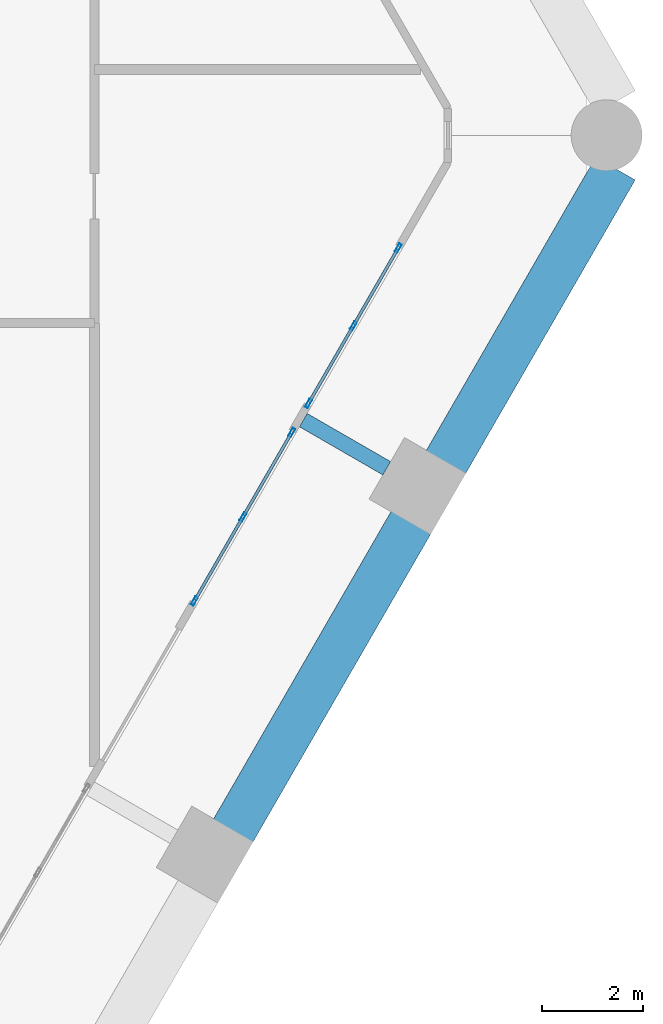
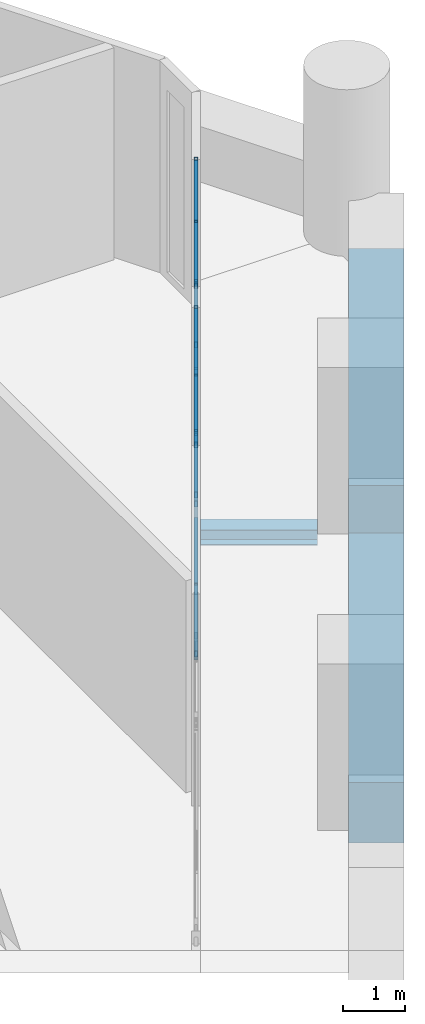
# One storey, part 7 of 18: 18 members, 3 beams, 2 elements without a shape of their own.
"""IFC4 building model written with IfcOpenShell, lengths in metres."""

from ifc_helpers import new_model, si_unit, direction, frame, origin, origin_2d, place, context, subcontext, project, spatial, rectangle, hollow_rectangle, i_section, extrude, material, material_profile, profile_set, type_object, element, aggregate, save


model = new_model("IFC4")

# Units and contexts
model_context = context("Model", 3, precision=1e-05, world=origin(), true_north=direction((0.0, 1.0)))
body_context = subcontext(model_context, "Body", "Model", "MODEL_VIEW")
ifc_project = project(units=[si_unit("LENGTHUNIT", "METRE"), si_unit("AREAUNIT", "SQUARE_METRE"), si_unit("VOLUMEUNIT", "CUBIC_METRE"), si_unit("PLANEANGLEUNIT", "RADIAN"), si_unit("MASSUNIT", "GRAM", prefix="KILO")], contexts=[model_context])

# Site, building, storey
site_placement = place(None, origin())
site = spatial("IfcSite", under=ifc_project, at=site_placement, CompositionType="ELEMENT")
building_placement = place(site_placement, origin())
building = spatial("IfcBuilding", under=site, at=building_placement, Name="Ostrander Bayou Hotel Tower", CompositionType="ELEMENT")
storey_placement = place(building_placement, frame((0.0, 0.0, 14.5)))
storey = spatial("IfcBuildingStorey", under=building, at=storey_placement, Name="L03", CompositionType="ELEMENT", Elevation=14.5)

# Curtain wall, members
ifc_material_1 = material(Name="Aluminium and clear glass", Category="aluminium")
curtain_wall_type = type_object("IfcCurtainWallType", Name="CW-SKY amenity glass wall", PredefinedType="NOTDEFINED", material=ifc_material_1)
curtain_wall_1_placement = place(storey_placement, origin())
curtain_wall_1 = element("IfcCurtainWall", 1, at=curtain_wall_1_placement, inside=storey, type_object=curtain_wall_type, Name="CW-SKY L03 SE 3", PredefinedType="NOTDEFINED")
ifc_material_2 = material(Name="Aluminium", Category="aluminium")
ifc_material_profile_1 = material_profile(ifc_material_2, hollow_rectangle(XDim=0.06005859375, YDim=0.179931640625, WallThickness=0.00390625, at=origin_2d()))
ifc_profile_set_1 = profile_set([ifc_material_profile_1], Name="Aluminium")
member_type_1 = type_object("IfcMemberType", Name="CW-SK mullion 60 x 180 mm", PredefinedType="MULLION", material=ifc_profile_set_1)
member_1_placement = place(storey_placement, frame((15.971435546875, -9.1865234375, 0.0), z_axis=(0.0, 0.0, 1.0), x_axis=(-0.866025463091, 0.499999897278, 0.0)))
member_1 = element("IfcMember", 2, at=member_1_placement, type_object=member_type_1, Name="CW-SKY mullion 1", PredefinedType="MULLION", context=body_context, shape_type="SweptSolid", body=[
    extrude(hollow_rectangle(XDim=0.06005859375, YDim=0.179931640625, WallThickness=0.00390625, at=origin_2d()), origin(), (0.0, 0.0, 1.0), 4.199951171875),
])
member_2_placement = place(storey_placement, frame((16.931396484375, -7.523681640625, 0.0), z_axis=(0.0, 0.0, 1.0), x_axis=(-0.866025463091, 0.499999897278, 0.0)))
member_2 = element("IfcMember", 3, at=member_2_placement, type_object=member_type_1, Name="CW-SKY mullion 2", PredefinedType="MULLION", context=body_context, shape_type="SweptSolid", body=[
    extrude(hollow_rectangle(XDim=0.06005859375, YDim=0.179931640625, WallThickness=0.00390625, at=origin_2d()), origin(), (0.0, 0.0, 1.0), 4.199951171875),
])
member_3_placement = place(storey_placement, frame((17.8916015625, -5.861083984375, 0.0), z_axis=(0.0, 0.0, 1.0), x_axis=(-0.866025463091, 0.499999897278, 0.0)))
member_3 = element("IfcMember", 4, at=member_3_placement, type_object=member_type_1, Name="CW-SKY mullion 3", PredefinedType="MULLION", context=body_context, shape_type="SweptSolid", body=[
    extrude(hollow_rectangle(XDim=0.06005859375, YDim=0.179931640625, WallThickness=0.00390625, at=origin_2d()), origin(), (0.0, 0.0, 1.0), 4.199951171875),
])

curtain_wall_2_placement = place(storey_placement, origin())
curtain_wall_2 = element("IfcCurtainWall", 5, at=curtain_wall_2_placement, inside=storey, type_object=curtain_wall_type, Name="CW-SKY L03 SE 4", PredefinedType="NOTDEFINED")
member_4_placement = place(storey_placement, frame((18.221435546875, -5.289306640625, 0.0), z_axis=(0.0, 0.0, 1.0), x_axis=(-0.866025997283, 0.499998972029, 0.0)))
member_4 = element("IfcMember", 6, at=member_4_placement, type_object=member_type_1, Name="CW-SKY mullion 1", PredefinedType="MULLION", context=body_context, shape_type="SweptSolid", body=[
    extrude(hollow_rectangle(XDim=0.06005859375, YDim=0.179931640625, WallThickness=0.00390625, at=origin_2d()), origin(), (0.0, 0.0, 1.0), 4.199951171875),
])
member_5_placement = place(storey_placement, frame((19.1064453125, -3.756591796875, 0.0), z_axis=(0.0, 0.0, 1.0), x_axis=(-0.866025997283, 0.499998972029, 0.0)))
member_5 = element("IfcMember", 7, at=member_5_placement, type_object=member_type_1, Name="CW-SKY mullion 2", PredefinedType="MULLION", context=body_context, shape_type="SweptSolid", body=[
    extrude(hollow_rectangle(XDim=0.06005859375, YDim=0.179931640625, WallThickness=0.00390625, at=origin_2d()), origin(), (0.0, 0.0, 1.0), 4.199951171875),
])
member_6_placement = place(storey_placement, frame((19.991455078125, -2.2236328125, 0.0), z_axis=(0.0, 0.0, 1.0), x_axis=(-0.866025997283, 0.499998972029, 0.0)))
member_6 = element("IfcMember", 8, at=member_6_placement, type_object=member_type_1, Name="CW-SKY mullion 3", PredefinedType="MULLION", context=body_context, shape_type="SweptSolid", body=[
    extrude(hollow_rectangle(XDim=0.06005859375, YDim=0.179931640625, WallThickness=0.00390625, at=origin_2d()), origin(), (0.0, 0.0, 1.0), 4.199951171875),
])

# Member
ifc_material_3 = material(Name="Aluminium", Category="aluminium")
ifc_material_profile_2 = material_profile(ifc_material_3, hollow_rectangle(XDim=0.06005859375, YDim=0.1201171875, WallThickness=0.00390625, at=origin_2d()))
ifc_profile_set_2 = profile_set([ifc_material_profile_2], Name="Aluminium")
member_type_2 = type_object("IfcMemberType", Name="CW-SK transom 60 x 120 mm", PredefinedType="USERDEFINED", material=ifc_profile_set_2)
member_7_placement = place(storey_placement, frame((15.986572265625, -9.16064453125, 0.030029296875), z_axis=(0.499964847546, 0.866045698112, 0.0), x_axis=(-0.866045698112, 0.499964847546, 0.0)))
member_7 = element("IfcMember", 9, at=member_7_placement, type_object=member_type_2, Name="CW-SKY transom 1.1", ObjectType="TRANSOM", PredefinedType="USERDEFINED", context=body_context, shape_type="SweptSolid", body=[
    extrude(hollow_rectangle(XDim=0.06005859375, YDim=0.1201171875, WallThickness=0.00390625, at=origin_2d()), origin(), (0.0, 0.0, 1.0), 1.860107421875),
])

member_8_placement = place(storey_placement, frame((15.986572265625, -9.16064453125, 3.0), z_axis=(0.499964847546, 0.866045698112, 0.0), x_axis=(-0.866045698112, 0.499964847546, 0.0)))
member_8 = element("IfcMember", 10, at=member_8_placement, type_object=member_type_2, Name="CW-SKY transom 1.2", ObjectType="TRANSOM", PredefinedType="USERDEFINED", context=body_context, shape_type="SweptSolid", body=[
    extrude(hollow_rectangle(XDim=0.06005859375, YDim=0.1201171875, WallThickness=0.00390625, at=origin_2d()), origin(), (0.0, 0.0, 1.0), 1.860107421875),
])

member_9_placement = place(storey_placement, frame((15.986572265625, -9.16064453125, 4.169921875), z_axis=(0.499964847546, 0.866045698112, 0.0), x_axis=(-0.866045698112, 0.499964847546, 0.0)))
member_9 = element("IfcMember", 11, at=member_9_placement, type_object=member_type_2, Name="CW-SKY transom 1.3", ObjectType="TRANSOM", PredefinedType="USERDEFINED", context=body_context, shape_type="SweptSolid", body=[
    extrude(hollow_rectangle(XDim=0.06005859375, YDim=0.1201171875, WallThickness=0.00390625, at=origin_2d()), origin(), (0.0, 0.0, 1.0), 1.860107421875),
])

member_10_placement = place(storey_placement, frame((16.946533203125, -7.497802734375, 0.030029296875), z_axis=(0.499964847546, 0.866045698112, 0.0), x_axis=(-0.866045698112, 0.499964847546, 0.0)))
member_10 = element("IfcMember", 12, at=member_10_placement, type_object=member_type_2, Name="CW-SKY transom 2.1", ObjectType="TRANSOM", PredefinedType="USERDEFINED", context=body_context, shape_type="SweptSolid", body=[
    extrude(hollow_rectangle(XDim=0.06005859375, YDim=0.1201171875, WallThickness=0.00390625, at=origin_2d()), origin(), (0.0, 0.0, 1.0), 1.860107421875),
])

member_11_placement = place(storey_placement, frame((16.946533203125, -7.497802734375, 3.0), z_axis=(0.499964847546, 0.866045698112, 0.0), x_axis=(-0.866045698112, 0.499964847546, 0.0)))
member_11 = element("IfcMember", 13, at=member_11_placement, type_object=member_type_2, Name="CW-SKY transom 2.2", ObjectType="TRANSOM", PredefinedType="USERDEFINED", context=body_context, shape_type="SweptSolid", body=[
    extrude(hollow_rectangle(XDim=0.06005859375, YDim=0.1201171875, WallThickness=0.00390625, at=origin_2d()), origin(), (0.0, 0.0, 1.0), 1.860107421875),
])

member_12_placement = place(storey_placement, frame((16.946533203125, -7.497802734375, 4.169921875), z_axis=(0.499964847546, 0.866045698112, 0.0), x_axis=(-0.866045698112, 0.499964847546, 0.0)))
member_12 = element("IfcMember", 14, at=member_12_placement, type_object=member_type_2, Name="CW-SKY transom 2.3", ObjectType="TRANSOM", PredefinedType="USERDEFINED", context=body_context, shape_type="SweptSolid", body=[
    extrude(hollow_rectangle(XDim=0.06005859375, YDim=0.1201171875, WallThickness=0.00390625, at=origin_2d()), origin(), (0.0, 0.0, 1.0), 1.860107421875),
])

aggregate(curtain_wall_1, [member_1, member_2, member_3, member_7, member_8, member_9, member_10, member_11, member_12])

member_13_placement = place(storey_placement, frame((18.236572265625, -5.263427734375, 0.030029296875), z_axis=(0.499977863513, 0.866038183914, 0.0), x_axis=(-0.866038183914, 0.499977863513, 0.0)))
member_13 = element("IfcMember", 15, at=member_13_placement, type_object=member_type_2, Name="CW-SKY transom 1.1", ObjectType="TRANSOM", PredefinedType="USERDEFINED", context=body_context, shape_type="SweptSolid", body=[
    extrude(hollow_rectangle(XDim=0.06005859375, YDim=0.1201171875, WallThickness=0.00390625, at=origin_2d()), origin(), (0.0, 0.0, 1.0), 1.7099609375),
])

member_14_placement = place(storey_placement, frame((18.236572265625, -5.263427734375, 3.0), z_axis=(0.499977863513, 0.866038183914, 0.0), x_axis=(-0.866038183914, 0.499977863513, 0.0)))
member_14 = element("IfcMember", 16, at=member_14_placement, type_object=member_type_2, Name="CW-SKY transom 1.2", ObjectType="TRANSOM", PredefinedType="USERDEFINED", context=body_context, shape_type="SweptSolid", body=[
    extrude(hollow_rectangle(XDim=0.06005859375, YDim=0.1201171875, WallThickness=0.00390625, at=origin_2d()), origin(), (0.0, 0.0, 1.0), 1.7099609375),
])

member_15_placement = place(storey_placement, frame((18.236572265625, -5.263427734375, 4.169921875), z_axis=(0.499977863513, 0.866038183914, 0.0), x_axis=(-0.866038183914, 0.499977863513, 0.0)))
member_15 = element("IfcMember", 17, at=member_15_placement, type_object=member_type_2, Name="CW-SKY transom 1.3", ObjectType="TRANSOM", PredefinedType="USERDEFINED", context=body_context, shape_type="SweptSolid", body=[
    extrude(hollow_rectangle(XDim=0.06005859375, YDim=0.1201171875, WallThickness=0.00390625, at=origin_2d()), origin(), (0.0, 0.0, 1.0), 1.7099609375),
])

member_16_placement = place(storey_placement, frame((19.12158203125, -3.73046875, 0.030029296875), z_axis=(0.500039688951, 0.866002488145, 0.0), x_axis=(-0.866002488145, 0.500039688951, 0.0)))
member_16 = element("IfcMember", 18, at=member_16_placement, type_object=member_type_2, Name="CW-SKY transom 2.1", ObjectType="TRANSOM", PredefinedType="USERDEFINED", context=body_context, shape_type="SweptSolid", body=[
    extrude(hollow_rectangle(XDim=0.06005859375, YDim=0.1201171875, WallThickness=0.00390625, at=origin_2d()), origin(), (0.0, 0.0, 1.0), 1.709716796875),
])

member_17_placement = place(storey_placement, frame((19.12158203125, -3.73046875, 3.0), z_axis=(0.500039688951, 0.866002488145, 0.0), x_axis=(-0.866002488145, 0.500039688951, 0.0)))
member_17 = element("IfcMember", 19, at=member_17_placement, type_object=member_type_2, Name="CW-SKY transom 2.2", ObjectType="TRANSOM", PredefinedType="USERDEFINED", context=body_context, shape_type="SweptSolid", body=[
    extrude(hollow_rectangle(XDim=0.06005859375, YDim=0.1201171875, WallThickness=0.00390625, at=origin_2d()), origin(), (0.0, 0.0, 1.0), 1.709716796875),
])

member_18_placement = place(storey_placement, frame((19.12158203125, -3.73046875, 4.169921875), z_axis=(0.500039688951, 0.866002488145, 0.0), x_axis=(-0.866002488145, 0.500039688951, 0.0)))
member_18 = element("IfcMember", 20, at=member_18_placement, type_object=member_type_2, Name="CW-SKY transom 2.3", ObjectType="TRANSOM", PredefinedType="USERDEFINED", context=body_context, shape_type="SweptSolid", body=[
    extrude(hollow_rectangle(XDim=0.06005859375, YDim=0.1201171875, WallThickness=0.00390625, at=origin_2d()), origin(), (0.0, 0.0, 1.0), 1.709716796875),
])

aggregate(curtain_wall_2, [member_4, member_5, member_6, member_13, member_14, member_15, member_16, member_17, member_18])

# Beams
ifc_material_4 = material(Name="Steel ASTM A992", Category="steel")
ifc_material_profile_3 = material_profile(ifc_material_4, i_section(OverallWidth=0.3046875, OverallDepth=0.307861328125, WebThickness=0.010009765625, FlangeThickness=0.015380859375, at=origin_2d()))
ifc_profile_set_3 = profile_set([ifc_material_profile_3], Name="Steel ASTM A992")
beam_type_1 = type_object("IfcBeamType", Name="LB1 loggia bracket W12x65", PredefinedType="BEAM", material=ifc_profile_set_3)
beam_1_placement = place(storey_placement, frame((19.7646484375, -6.566650390625, -0.453857421875), z_axis=(-0.866044365799, 0.499967155389, 0.0), x_axis=(-0.499967155389, -0.866044365799, 0.0)))
element("IfcBeam", 21, at=beam_1_placement, inside=storey, type_object=beam_type_1, Name="LB1 L03 SE2", PredefinedType="BEAM", context=body_context, shape_type="SweptSolid", body=[
    extrude(i_section(OverallWidth=0.3046875, OverallDepth=0.307861328125, WebThickness=0.010009765625, FlangeThickness=0.015380859375, at=origin_2d()), origin(), (0.0, 0.0, 1.0), 1.900146484375),
])
ifc_material_5 = material(Name="Concrete f'c 70 MPa", Category="concrete")
ifc_material_profile_4 = material_profile(ifc_material_5, rectangle(XDim=0.89990234375, YDim=1.199951171875, at=origin_2d()))
ifc_profile_set_4 = profile_set([ifc_material_profile_4], Name="Concrete f'c 70 MPa")
beam_type_2 = type_object("IfcBeamType", Name="SP1 spandrel beam 900 x 1200 mm f'c 70 MPa", PredefinedType="SPANDREL", material=ifc_profile_set_4)
beam_2_placement = place(storey_placement, frame((16.726806640625, -13.72802734375, -0.60009765625), z_axis=(0.499997206141, 0.866027016814, 0.0), x_axis=(-0.866027016814, 0.499997206141, 0.0)))
element("IfcBeam", 22, at=beam_2_placement, inside=storey, type_object=beam_type_2, Name="SP1 L03 SE-2", PredefinedType="SPANDREL", context=body_context, shape_type="SweptSolid", body=[
    extrude(rectangle(XDim=0.89990234375, YDim=1.199951171875, at=origin_2d()), origin(), (0.0, 0.0, 1.0), 7.05078125),
])
beam_3_placement = place(storey_placement, frame((20.92236328125, -6.46142578125, -0.60009765625), z_axis=(0.500005133765, 0.866022439784, 0.0), x_axis=(-0.866022439784, 0.500005133765, 0.0)))
element("IfcBeam", 23, at=beam_3_placement, inside=storey, type_object=beam_type_2, Name="SP1 L03 SE-3", PredefinedType="SPANDREL", context=body_context, shape_type="SweptSolid", body=[
    extrude(rectangle(XDim=0.89990234375, YDim=1.199951171875, at=origin_2d()), origin(), (0.0, 0.0, 1.0), 6.70361328125),
])

save(model, "model.ifc")
